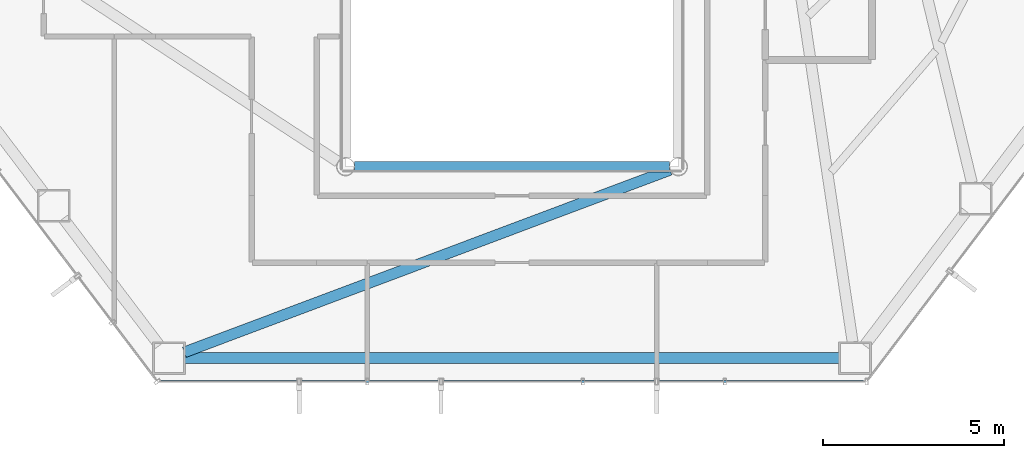
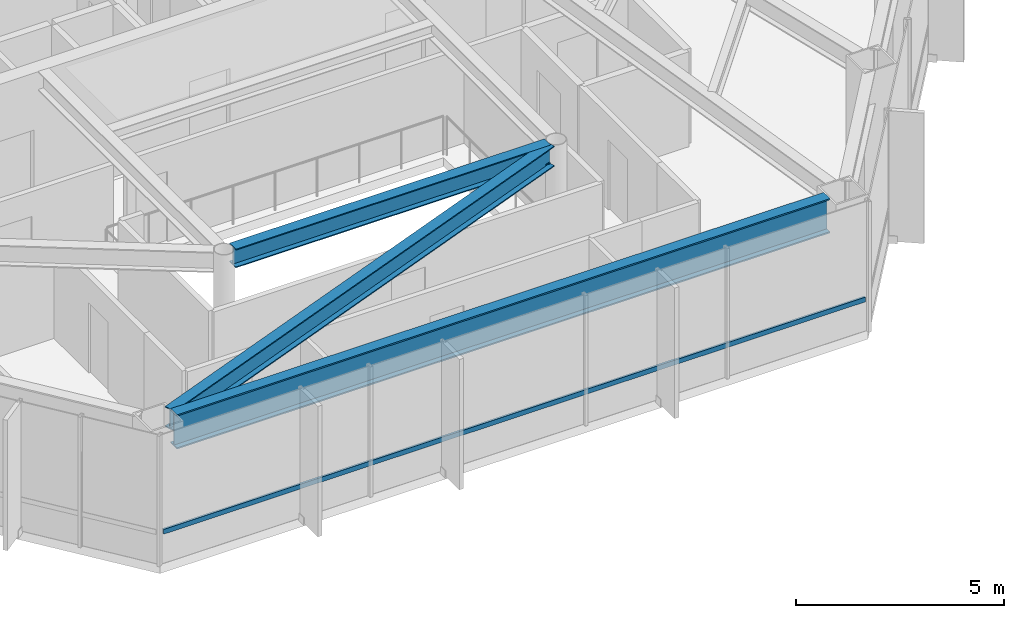
# One storey, part 7 of 25: 3 beams, 1 member, 1 element without a shape of its own.
"""IFC4 building model written with IfcOpenShell, lengths in metres."""

from ifc_helpers import new_model, si_unit, direction, frame, origin, origin_2d, place, context, subcontext, project, spatial, hollow_rectangle, i_section, extrude, material, layer, layer_set, material_profile, profile_set, type_object, element, aggregate, save


model = new_model("IFC4")

# Units and contexts
model_context = context("Model", 3, precision=1e-05, world=origin(), true_north=direction((0.0, 1.0)))
body_context = subcontext(model_context, "Body", "Model", "MODEL_VIEW")
ifc_project = project(units=[si_unit("LENGTHUNIT", "METRE"), si_unit("AREAUNIT", "SQUARE_METRE"), si_unit("VOLUMEUNIT", "CUBIC_METRE"), si_unit("PLANEANGLEUNIT", "RADIAN"), si_unit("MASSUNIT", "GRAM", prefix="KILO")], contexts=[model_context])

# Site, building, storey
site_placement = place(None, origin())
site = spatial("IfcSite", under=ifc_project, at=site_placement, CompositionType="ELEMENT")
building_placement = place(site_placement, origin())
building = spatial("IfcBuilding", under=site, at=building_placement, Name="Zarrinselat Tower", CompositionType="ELEMENT")
storey_placement = place(building_placement, frame((0.0, 0.0, 84.659912109375)))
storey = spatial("IfcBuildingStorey", under=building, at=storey_placement, Name="L20", CompositionType="ELEMENT", Elevation=84.659912109375)

# Beams
ifc_material_1 = material(Name="Steel S355J2", Category="steel")
ifc_material_profile_1 = material_profile(ifc_material_1, i_section(OverallWidth=0.300048828125, OverallDepth=0.550048828125, WebThickness=0.014892578125, FlangeThickness=0.029052734375, at=origin_2d()), Name="HEB 550")
ifc_profile_set_1 = profile_set([ifc_material_profile_1], Name="Steel S355J2")
beam_type_1 = type_object("IfcBeamType", Name="BM-HEB550", PredefinedType="BEAM", material=ifc_profile_set_1)
beam_1_placement = place(storey_placement, frame((34.0400390625, 24.39990234375, 3.545166015625), z_axis=(1.0, 0.0, 0.0), x_axis=(0.0, 1.0, 0.0)))
element("IfcBeam", 1, at=beam_1_placement, inside=storey, type_object=beam_type_1, Name="L20 Atrium Edge Beam S", PredefinedType="BEAM", context=body_context, shape_type="SweptSolid", body=[
    extrude(i_section(OverallWidth=0.300048828125, OverallDepth=0.550048828125, WebThickness=0.014892578125, FlangeThickness=0.029052734375, at=origin_2d()), origin(), (0.0, 0.0, 1.0), 8.719970703125),
])
ifc_material_2 = material(Name="Steel S355J2", Category="steel")
ifc_material_profile_2 = material_profile(ifc_material_2, i_section(OverallWidth=0.300048828125, OverallDepth=0.60009765625, WebThickness=0.015380859375, FlangeThickness=0.030029296875, at=origin_2d()), Name="HEB 600")
ifc_profile_set_2 = profile_set([ifc_material_profile_2], Name="Steel S355J2")
beam_type_2 = type_object("IfcBeamType", Name="BM-HEB600", PredefinedType="BEAM", material=ifc_profile_set_2)
beam_2_placement = place(storey_placement, frame((29.340576171875, 19.268798828125, 3.52001953125), z_axis=(0.936131044829, 0.35165134282, 0.0), x_axis=(-0.35165134282, 0.936131044829, 0.0)))
element("IfcBeam", 2, at=beam_2_placement, inside=storey, type_object=beam_type_2, Name="L20 Radial Primary Girder RG10", PredefinedType="BEAM", context=body_context, shape_type="SweptSolid", body=[
    extrude(i_section(OverallWidth=0.300048828125, OverallDepth=0.60009765625, WebThickness=0.015380859375, FlangeThickness=0.030029296875, at=origin_2d()), origin(), (0.0, 0.0, 1.0), 14.341552734375),
])
ifc_material_3 = material(Name="Steel S460M", Category="steel")
ifc_material_profile_3 = material_profile(ifc_material_3, i_section(OverallWidth=0.302001953125, OverallDepth=1.008056640625, WebThickness=0.02099609375, FlangeThickness=0.0400390625, at=origin_2d()), Name="HEM 1000")
ifc_profile_set_3 = profile_set([ifc_material_profile_3], Name="Steel S460M")
beam_type_3 = type_object("IfcBeamType", Name="BM-HEM1000", PredefinedType="BEAM", material=ifc_profile_set_3)
beam_3_placement = place(storey_placement, frame((29.35546875, 19.110107421875, 3.316162109375), z_axis=(1.0, 0.0, 0.0), x_axis=(0.0, 1.0, 0.0)))
element("IfcBeam", 3, at=beam_3_placement, inside=storey, type_object=beam_type_3, Name="L20 Perimeter Spandrel Girder SP10", PredefinedType="BEAM", context=body_context, shape_type="SweptSolid", body=[
    extrude(i_section(OverallWidth=0.302001953125, OverallDepth=1.008056640625, WebThickness=0.02099609375, FlangeThickness=0.0400390625, at=origin_2d()), origin(), (0.0, 0.0, 1.0), 18.089111328125),
])

# Curtain wall, member
ifc_material_4 = material(Name="Extruded Aluminium Alloy EN AW-6063 T6", Category="aluminium")
ifc_layer = layer(ifc_material_4, 0.18505859375)
ifc_layer_set = layer_set([ifc_layer], Name="Extruded Aluminium Alloy EN AW-6063 T6")
curtain_wall_type = type_object("IfcCurtainWallType", Name="CWS-OFF", PredefinedType="NOTDEFINED", material=ifc_layer_set)
curtain_wall_placement = place(storey_placement, origin())
curtain_wall = element("IfcCurtainWall", 4, at=curtain_wall_placement, inside=storey, type_object=curtain_wall_type, Name="L20 Unitised Curtain Wall CW-L20-E04", PredefinedType="NOTDEFINED")
ifc_material_5 = material(Name="Extruded Aluminium Alloy EN AW-6063 T6", Category="aluminium")
ifc_material_profile_4 = material_profile(ifc_material_5, hollow_rectangle(XDim=0.06005859375, YDim=0.139892578125, WallThickness=0.00390625, at=origin_2d()), Name="RHS 140x60x4")
ifc_profile_set_4 = profile_set([ifc_material_profile_4], Name="Extruded Aluminium Alloy EN AW-6063 T6")
member_type = type_object("IfcMemberType", Name="MEM-CW-TRN", PredefinedType="USERDEFINED", material=ifc_profile_set_4)
member_placement = place(storey_placement, frame((28.684326171875, 18.4599609375, 0.9501953125), z_axis=(1.0, 0.0, 0.0), x_axis=(0.0, 1.0, 0.0)))
member = element("IfcMember", 5, at=member_placement, type_object=member_type, Name="CW-L20-E04 Transom 1", ObjectType="TRANSOM", PredefinedType="USERDEFINED", context=body_context, shape_type="SweptSolid", body=[
    extrude(hollow_rectangle(XDim=0.06005859375, YDim=0.139892578125, WallThickness=0.00390625, at=origin_2d()), origin(), (0.0, 0.0, 1.0), 19.43115234375),
])
aggregate(curtain_wall, [member])

save(model, "model.ifc")
